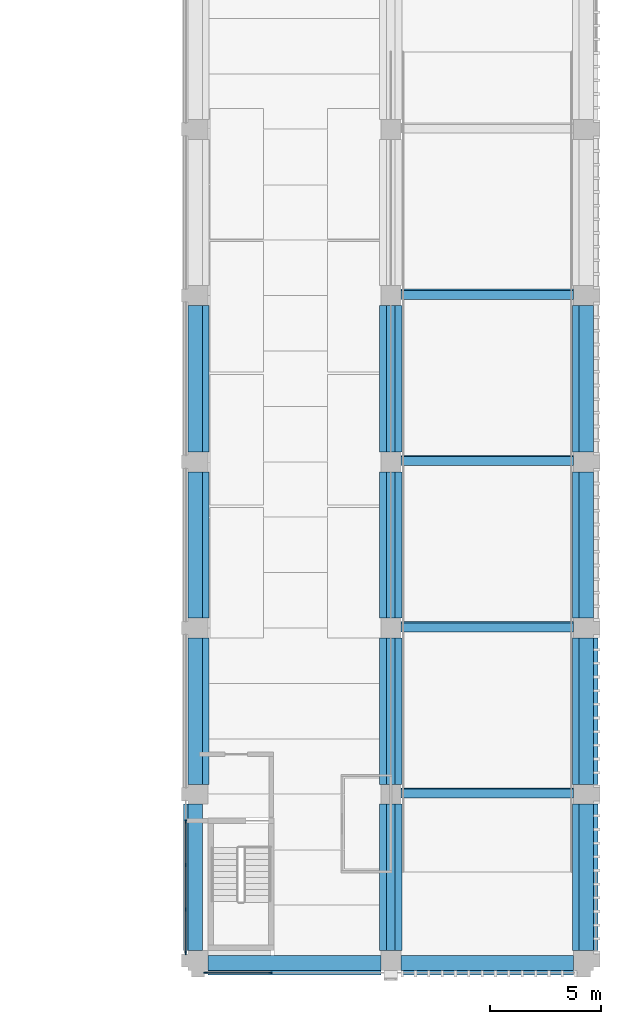
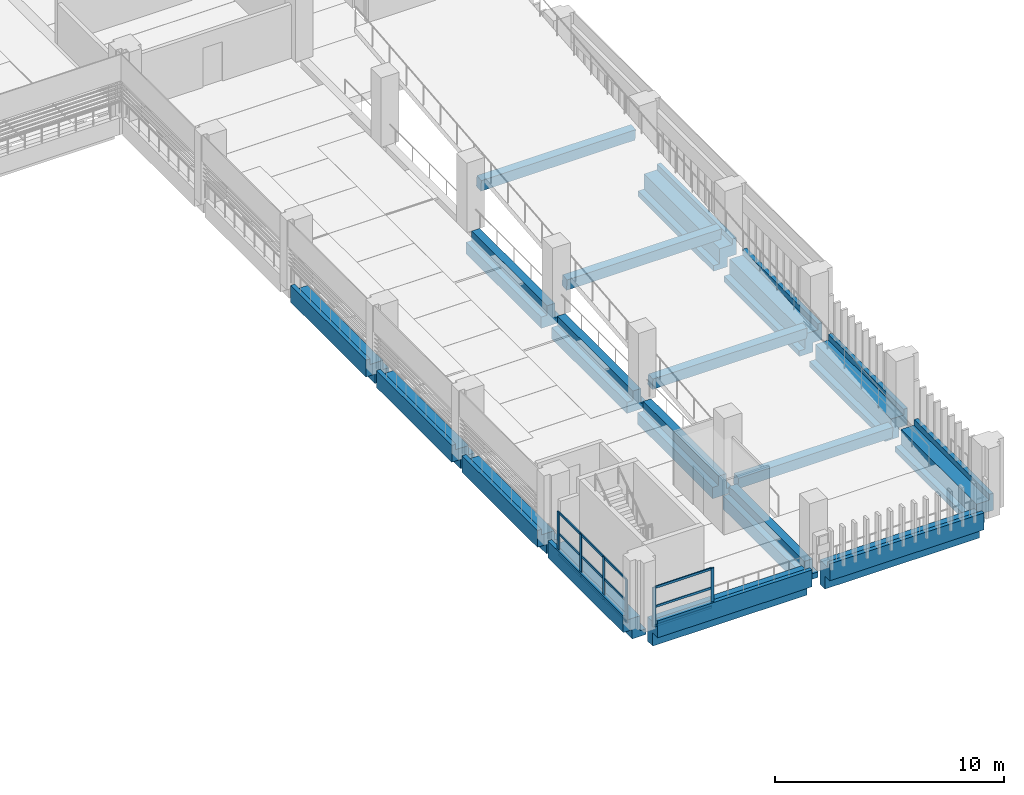
# One storey, part 14 of 57: 18 beams, 18 members, 2 elements without a shape of their own.
"""IFC4 building model written with IfcOpenShell, lengths in metres."""

from ifc_helpers import new_model, si_unit, direction, frame, origin, origin_2d, place, context, subcontext, project, spatial, polyline, rectangle, outline, extrude, material, layer, layer_set, material_profile, profile_set, type_object, element, aggregate, save


model = new_model("IFC4")

# Units and contexts
model_context = context("Model", 3, precision=1e-05, world=origin(), true_north=direction((0.0, 1.0)))
body_context = subcontext(model_context, "Body", "Model", "MODEL_VIEW")
ifc_project = project(units=[si_unit("LENGTHUNIT", "METRE"), si_unit("AREAUNIT", "SQUARE_METRE"), si_unit("VOLUMEUNIT", "CUBIC_METRE"), si_unit("PLANEANGLEUNIT", "RADIAN"), si_unit("MASSUNIT", "GRAM", prefix="KILO")], contexts=[model_context])

# Site, building, storey
site_placement = place(None, origin())
site = spatial("IfcSite", under=ifc_project, at=site_placement, CompositionType="ELEMENT")
building_placement = place(site_placement, origin())
building = spatial("IfcBuilding", under=site, at=building_placement, Name="Cour d'Honneur Mobility Palace", CompositionType="ELEMENT")
storey_placement = place(building_placement, frame((0.0, 0.0, 8.199951171875)))
storey = spatial("IfcBuildingStorey", under=building, at=storey_placement, Name="L02", CompositionType="ELEMENT", Elevation=8.199951171875)

# Curtain wall, members
ifc_material_1 = material(Name="Aluminium and glass", Category="aluminium")
ifc_layer = layer(ifc_material_1, 0.10009765625)
ifc_layer_set = layer_set([ifc_layer], Name="Aluminium and glass")
curtain_wall_type = type_object("IfcCurtainWallType", Name="Curtain wall run", PredefinedType="NOTDEFINED", material=ifc_layer_set)
curtain_wall_1_placement = place(storey_placement, origin())
curtain_wall_1 = element("IfcCurtainWall", 1, at=curtain_wall_1_placement, inside=storey, type_object=curtain_wall_type, Name="Curtain wall CW-137", PredefinedType="NOTDEFINED")
ifc_material_2 = material(Name="Aluminium", Category="aluminium")
ifc_material_profile_1 = material_profile(ifc_material_2, rectangle(XDim=0.06005859375, YDim=0.159912109375, at=origin_2d()), Name="Curtain wall mullion")
ifc_profile_set_1 = profile_set([ifc_material_profile_1], Name="Aluminium")
member_type_1 = type_object("IfcMemberType", Name="Curtain wall mullion", PredefinedType="MULLION", material=ifc_profile_set_1)
member_1_placement = place(storey_placement, frame((144.35009765625, 6.27001953125, 0.0), z_axis=(0.0, 0.0, 1.0), x_axis=(1.0, 0.0, 0.0)))
member_1 = element("IfcMember", 2, at=member_1_placement, type_object=member_type_1, Name="CW-137 mullion 1", PredefinedType="MULLION", context=body_context, shape_type="SweptSolid", body=[
    extrude(rectangle(XDim=0.06005859375, YDim=0.159912109375, at=origin_2d()), origin(), (0.0, 0.0, 1.0), 2.300048828125),
])
member_2_placement = place(storey_placement, frame((144.35009765625, 4.300048828125, 0.0), z_axis=(0.0, 0.0, 1.0), x_axis=(1.0, 0.0, 0.0)))
member_2 = element("IfcMember", 3, at=member_2_placement, type_object=member_type_1, Name="CW-137 mullion 2", PredefinedType="MULLION", context=body_context, shape_type="SweptSolid", body=[
    extrude(rectangle(XDim=0.06005859375, YDim=0.159912109375, at=origin_2d()), origin(), (0.0, 0.0, 1.0), 2.300048828125),
])
member_3_placement = place(storey_placement, frame((144.35009765625, 2.300048828125, 0.0), z_axis=(0.0, 0.0, 1.0), x_axis=(1.0, 0.0, 0.0)))
member_3 = element("IfcMember", 4, at=member_3_placement, type_object=member_type_1, Name="CW-137 mullion 3", PredefinedType="MULLION", context=body_context, shape_type="SweptSolid", body=[
    extrude(rectangle(XDim=0.06005859375, YDim=0.159912109375, at=origin_2d()), origin(), (0.0, 0.0, 1.0), 2.300048828125),
])
member_4_placement = place(storey_placement, frame((144.35009765625, 0.330078125, 0.0), z_axis=(0.0, 0.0, 1.0), x_axis=(1.0, 0.0, 0.0)))
member_4 = element("IfcMember", 5, at=member_4_placement, type_object=member_type_1, Name="CW-137 mullion 4", PredefinedType="MULLION", context=body_context, shape_type="SweptSolid", body=[
    extrude(rectangle(XDim=0.06005859375, YDim=0.159912109375, at=origin_2d()), origin(), (0.0, 0.0, 1.0), 2.300048828125),
])

curtain_wall_2_placement = place(storey_placement, origin())
curtain_wall_2 = element("IfcCurtainWall", 6, at=curtain_wall_2_placement, inside=storey, type_object=curtain_wall_type, Name="Curtain wall CW-138", PredefinedType="NOTDEFINED")
member_5_placement = place(storey_placement, frame((145.22998046875, -0.550048828125, 0.0), z_axis=(0.0, 0.0, 1.0), x_axis=(0.0, 1.0, 0.0)))
member_5 = element("IfcMember", 7, at=member_5_placement, type_object=member_type_1, Name="CW-138 mullion 1", PredefinedType="MULLION", context=body_context, shape_type="SweptSolid", body=[
    extrude(rectangle(XDim=0.06005859375, YDim=0.159912109375, at=origin_2d()), origin(), (0.0, 0.0, 1.0), 2.10009765625),
])
member_6_placement = place(storey_placement, frame((148.169921875, -0.550048828125, 0.0), z_axis=(0.0, 0.0, 1.0), x_axis=(0.0, 1.0, 0.0)))
member_6 = element("IfcMember", 8, at=member_6_placement, type_object=member_type_1, Name="CW-138 mullion 2", PredefinedType="MULLION", context=body_context, shape_type="SweptSolid", body=[
    extrude(rectangle(XDim=0.06005859375, YDim=0.159912109375, at=origin_2d()), origin(), (0.0, 0.0, 1.0), 2.10009765625),
])

# Member
ifc_material_3 = material(Name="Aluminium", Category="aluminium")
ifc_material_profile_2 = material_profile(ifc_material_3, rectangle(XDim=0.06005859375, YDim=0.1201171875, at=origin_2d()), Name="Curtain wall transom")
ifc_profile_set_2 = profile_set([ifc_material_profile_2], Name="Aluminium")
member_type_2 = type_object("IfcMemberType", Name="Curtain wall transom", PredefinedType="USERDEFINED", material=ifc_profile_set_2)
member_7_placement = place(storey_placement, frame((144.35009765625, 6.239990234375, 0.030029296875), z_axis=(0.0, -1.0, 0.0), x_axis=(1.0, 0.0, 0.0)))
member_7 = element("IfcMember", 9, at=member_7_placement, type_object=member_type_2, Name="CW-137 transom 1.1", ObjectType="TRANSOM", PredefinedType="USERDEFINED", context=body_context, shape_type="SweptSolid", body=[
    extrude(rectangle(XDim=0.06005859375, YDim=0.1201171875, at=origin_2d()), origin(), (0.0, 0.0, 1.0), 1.909912109375),
])

member_8_placement = place(storey_placement, frame((144.35009765625, 6.239990234375, 1.150146484375), z_axis=(0.0, -1.0, 0.0), x_axis=(1.0, 0.0, 0.0)))
member_8 = element("IfcMember", 10, at=member_8_placement, type_object=member_type_2, Name="CW-137 transom 1.2", ObjectType="TRANSOM", PredefinedType="USERDEFINED", context=body_context, shape_type="SweptSolid", body=[
    extrude(rectangle(XDim=0.06005859375, YDim=0.1201171875, at=origin_2d()), origin(), (0.0, 0.0, 1.0), 1.909912109375),
])

member_9_placement = place(storey_placement, frame((144.35009765625, 6.239990234375, 2.27001953125), z_axis=(0.0, -1.0, 0.0), x_axis=(1.0, 0.0, 0.0)))
member_9 = element("IfcMember", 11, at=member_9_placement, type_object=member_type_2, Name="CW-137 transom 1.3", ObjectType="TRANSOM", PredefinedType="USERDEFINED", context=body_context, shape_type="SweptSolid", body=[
    extrude(rectangle(XDim=0.06005859375, YDim=0.1201171875, at=origin_2d()), origin(), (0.0, 0.0, 1.0), 1.909912109375),
])

member_10_placement = place(storey_placement, frame((144.35009765625, 4.27001953125, 0.030029296875), z_axis=(0.0, -1.0, 0.0), x_axis=(1.0, 0.0, 0.0)))
member_10 = element("IfcMember", 12, at=member_10_placement, type_object=member_type_2, Name="CW-137 transom 2.1", ObjectType="TRANSOM", PredefinedType="USERDEFINED", context=body_context, shape_type="SweptSolid", body=[
    extrude(rectangle(XDim=0.06005859375, YDim=0.1201171875, at=origin_2d()), origin(), (0.0, 0.0, 1.0), 1.93994140625),
])

member_11_placement = place(storey_placement, frame((144.35009765625, 4.27001953125, 1.150146484375), z_axis=(0.0, -1.0, 0.0), x_axis=(1.0, 0.0, 0.0)))
member_11 = element("IfcMember", 13, at=member_11_placement, type_object=member_type_2, Name="CW-137 transom 2.2", ObjectType="TRANSOM", PredefinedType="USERDEFINED", context=body_context, shape_type="SweptSolid", body=[
    extrude(rectangle(XDim=0.06005859375, YDim=0.1201171875, at=origin_2d()), origin(), (0.0, 0.0, 1.0), 1.93994140625),
])

member_12_placement = place(storey_placement, frame((144.35009765625, 4.27001953125, 2.27001953125), z_axis=(0.0, -1.0, 0.0), x_axis=(1.0, 0.0, 0.0)))
member_12 = element("IfcMember", 14, at=member_12_placement, type_object=member_type_2, Name="CW-137 transom 2.3", ObjectType="TRANSOM", PredefinedType="USERDEFINED", context=body_context, shape_type="SweptSolid", body=[
    extrude(rectangle(XDim=0.06005859375, YDim=0.1201171875, at=origin_2d()), origin(), (0.0, 0.0, 1.0), 1.93994140625),
])

member_13_placement = place(storey_placement, frame((144.35009765625, 2.27001953125, 0.030029296875), z_axis=(0.0, -1.0, 0.0), x_axis=(1.0, 0.0, 0.0)))
member_13 = element("IfcMember", 15, at=member_13_placement, type_object=member_type_2, Name="CW-137 transom 3.1", ObjectType="TRANSOM", PredefinedType="USERDEFINED", context=body_context, shape_type="SweptSolid", body=[
    extrude(rectangle(XDim=0.06005859375, YDim=0.1201171875, at=origin_2d()), origin(), (0.0, 0.0, 1.0), 1.909912109375),
])

member_14_placement = place(storey_placement, frame((144.35009765625, 2.27001953125, 1.150146484375), z_axis=(0.0, -1.0, 0.0), x_axis=(1.0, 0.0, 0.0)))
member_14 = element("IfcMember", 16, at=member_14_placement, type_object=member_type_2, Name="CW-137 transom 3.2", ObjectType="TRANSOM", PredefinedType="USERDEFINED", context=body_context, shape_type="SweptSolid", body=[
    extrude(rectangle(XDim=0.06005859375, YDim=0.1201171875, at=origin_2d()), origin(), (0.0, 0.0, 1.0), 1.909912109375),
])

member_15_placement = place(storey_placement, frame((144.35009765625, 2.27001953125, 2.27001953125), z_axis=(0.0, -1.0, 0.0), x_axis=(1.0, 0.0, 0.0)))
member_15 = element("IfcMember", 17, at=member_15_placement, type_object=member_type_2, Name="CW-137 transom 3.3", ObjectType="TRANSOM", PredefinedType="USERDEFINED", context=body_context, shape_type="SweptSolid", body=[
    extrude(rectangle(XDim=0.06005859375, YDim=0.1201171875, at=origin_2d()), origin(), (0.0, 0.0, 1.0), 1.909912109375),
])

aggregate(curtain_wall_1, [member_1, member_2, member_3, member_4, member_7, member_8, member_9, member_10, member_11, member_12, member_13, member_14, member_15])

member_16_placement = place(storey_placement, frame((145.260009765625, -0.550048828125, 0.030029296875), z_axis=(1.0, 0.0, 0.0), x_axis=(0.0, 1.0, 0.0)))
member_16 = element("IfcMember", 18, at=member_16_placement, type_object=member_type_2, Name="CW-138 transom 1.1", ObjectType="TRANSOM", PredefinedType="USERDEFINED", context=body_context, shape_type="SweptSolid", body=[
    extrude(rectangle(XDim=0.06005859375, YDim=0.1201171875, at=origin_2d()), origin(), (0.0, 0.0, 1.0), 2.8798828125),
])

member_17_placement = place(storey_placement, frame((145.260009765625, -0.550048828125, 1.050048828125), z_axis=(1.0, 0.0, 0.0), x_axis=(0.0, 1.0, 0.0)))
member_17 = element("IfcMember", 19, at=member_17_placement, type_object=member_type_2, Name="CW-138 transom 1.2", ObjectType="TRANSOM", PredefinedType="USERDEFINED", context=body_context, shape_type="SweptSolid", body=[
    extrude(rectangle(XDim=0.06005859375, YDim=0.1201171875, at=origin_2d()), origin(), (0.0, 0.0, 1.0), 2.8798828125),
])

member_18_placement = place(storey_placement, frame((145.260009765625, -0.550048828125, 2.070068359375), z_axis=(1.0, 0.0, 0.0), x_axis=(0.0, 1.0, 0.0)))
member_18 = element("IfcMember", 20, at=member_18_placement, type_object=member_type_2, Name="CW-138 transom 1.3", ObjectType="TRANSOM", PredefinedType="USERDEFINED", context=body_context, shape_type="SweptSolid", body=[
    extrude(rectangle(XDim=0.06005859375, YDim=0.1201171875, at=origin_2d()), origin(), (0.0, 0.0, 1.0), 2.8798828125),
])

aggregate(curtain_wall_2, [member_5, member_6, member_16, member_17, member_18])

# Beams
ifc_material_4 = material(Name="Concrete C45", Category="concrete")
ifc_material_profile_3 = material_profile(ifc_material_4, outline(polyline([(0.22509765625, -1.300048828125), (0.22509765625, 0.0), (-0.22509765625, 0.0), (-0.449951171875, 0.0), (-0.449951171875, 0.300048828125), (-0.64990234375, 0.300048828125), (-0.64990234375, -0.60009765625), (-0.22509765625, -0.60009765625), (-0.22509765625, -1.300048828125), (0.22509765625, -1.300048828125)])), Name="Edge Spandrel Beam 450x1300 no ledge facade right")
ifc_profile_set_3 = profile_set([ifc_material_profile_3], Name="Concrete C45")
beam_type_1 = type_object("IfcBeamType", Name="Edge Spandrel Beam 450x1300 no ledge facade right", PredefinedType="SPANDREL", material=ifc_profile_set_3)
beam_1_placement = place(storey_placement, frame((145.35009765625, 0.0, 0.0), z_axis=(1.0, 0.0, 0.0), x_axis=(0.0, 1.0, 0.0)))
element("IfcBeam", 21, at=beam_1_placement, inside=storey, type_object=beam_type_1, Name="Precast beam B1 19-19A L02", PredefinedType="SPANDREL", context=body_context, shape_type="SweptSolid", body=[
    extrude(outline(polyline([(0.22509765625, -1.300048828125), (0.22509765625, 0.0), (-0.22509765625, 0.0), (-0.449951171875, 0.0), (-0.449951171875, 0.300048828125), (-0.64990234375, 0.300048828125), (-0.64990234375, -0.60009765625), (-0.22509765625, -0.60009765625), (-0.22509765625, -1.300048828125), (0.22509765625, -1.300048828125)])), origin(), (0.0, 0.0, 1.0), 7.7998046875),
])
beam_2_placement = place(storey_placement, frame((154.050048828125, 0.0, 0.0), z_axis=(1.0, 0.0, 0.0), x_axis=(0.0, 1.0, 0.0)))
element("IfcBeam", 22, at=beam_2_placement, inside=storey, type_object=beam_type_1, Name="Precast beam B1 19A-20 L02", PredefinedType="SPANDREL", context=body_context, shape_type="SweptSolid", body=[
    extrude(outline(polyline([(0.22509765625, -1.300048828125), (0.22509765625, 0.0), (-0.22509765625, 0.0), (-0.449951171875, 0.0), (-0.449951171875, 0.300048828125), (-0.64990234375, 0.300048828125), (-0.64990234375, -0.60009765625), (-0.22509765625, -0.60009765625), (-0.22509765625, -1.300048828125), (0.22509765625, -1.300048828125)])), origin(), (0.0, 0.0, 1.0), 7.800048828125),
])
ifc_material_5 = material(Name="Concrete C45", Category="concrete")
ifc_material_profile_4 = material_profile(ifc_material_5, outline(polyline([(0.5, -1.10009765625), (0.5, -0.5), (0.199951171875, -0.5), (0.199951171875, 0.0), (-0.199951171875, 0.0), (-0.199951171875, -0.800048828125), (-0.5, -0.800048828125), (-0.5, -1.10009765625), (0.5, -1.10009765625)])), Name="Inverted Tee Beam 400x1100 ledges 600/300 plain")
ifc_profile_set_4 = profile_set([ifc_material_profile_4], Name="Concrete C45")
beam_type_2 = type_object("IfcBeamType", Name="Inverted Tee Beam 400x1100 ledges 600/300 plain", PredefinedType="T_BEAM", material=ifc_profile_set_4)
for number, where, z_axis, x_axis, name in (
    (23, (153.60009765625, 7.949951171875, 0.0), (0.0, 1.0, 0.0), (-1.0, 0.0, 0.0), "Precast beam B19 B-C L02"),
    (24, (153.60009765625, 15.449951171875, 0.0), (0.0, 1.0, 0.0), (-1.0, 0.0, 0.0), "Precast beam B19 C-D L02"),
    (25, (153.60009765625, 22.949951171875, 0.0), (0.0, 1.0, 0.0), (-1.0, 0.0, 0.0), "Precast beam B19 D-E L02"),
):
    element("IfcBeam", number, at=place(storey_placement, frame(where, z_axis=z_axis, x_axis=x_axis)), inside=storey, type_object=beam_type_2, Name=name, PredefinedType="T_BEAM", context=body_context, shape_type="SweptSolid", body=[
        extrude(outline(polyline([(0.5, -1.10009765625), (0.5, -0.5), (0.199951171875, -0.5), (0.199951171875, 0.0), (-0.199951171875, 0.0), (-0.199951171875, -0.800048828125), (-0.5, -0.800048828125), (-0.5, -1.10009765625), (0.5, -1.10009765625)])), origin(), (0.0, 0.0, 1.0), 6.60009765625),
    ])
ifc_material_6 = material(Name="Concrete C45", Category="concrete")
ifc_material_profile_5 = material_profile(ifc_material_6, outline(polyline([(0.5, -1.10009765625), (0.5, -0.39990234375), (0.199951171875, -0.39990234375), (0.199951171875, 0.0), (-0.199951171875, 0.0), (-0.199951171875, -0.800048828125), (-0.5, -0.800048828125), (-0.5, -1.10009765625), (0.5, -1.10009765625)])), Name="Inverted Tee Beam 400x1100 ledges 700/300 plain")
ifc_profile_set_5 = profile_set([ifc_material_profile_5], Name="Concrete C45")
beam_type_3 = type_object("IfcBeamType", Name="Inverted Tee Beam 400x1100 ledges 700/300 plain", PredefinedType="T_BEAM", material=ifc_profile_set_5)
beam_3_placement = place(storey_placement, frame((153.60009765625, 0.449951171875, 0.0), z_axis=(0.0, 1.0, 0.0), x_axis=(-1.0, 0.0, 0.0)))
element("IfcBeam", 26, at=beam_3_placement, inside=storey, type_object=beam_type_3, Name="Precast beam B18 A-B L02", PredefinedType="T_BEAM", context=body_context, shape_type="SweptSolid", body=[
    extrude(outline(polyline([(0.5, -1.10009765625), (0.5, -0.39990234375), (0.199951171875, -0.39990234375), (0.199951171875, 0.0), (-0.199951171875, 0.0), (-0.199951171875, -0.800048828125), (-0.5, -0.800048828125), (-0.5, -1.10009765625), (0.5, -1.10009765625)])), origin(), (0.0, 0.0, 1.0), 6.60009765625),
])
ifc_material_7 = material(Name="Concrete C45", Category="concrete")
ifc_material_profile_6 = material_profile(ifc_material_7, outline(polyline([(0.5, -1.10009765625), (0.5, -0.800048828125), (0.199951171875, -0.800048828125), (0.199951171875, 0.0), (-0.199951171875, 0.0), (-0.449951171875, 0.0), (-0.449951171875, 0.300048828125), (-0.64990234375, 0.300048828125), (-0.64990234375, -0.60009765625), (-0.199951171875, -0.60009765625), (-0.199951171875, -1.10009765625), (0.5, -1.10009765625)])), Name="Ledger Beam 400x1100 ledge left 300 facade right")
ifc_profile_set_6 = profile_set([ifc_material_profile_6], Name="Concrete C45")
beam_type_4 = type_object("IfcBeamType", Name="Ledger Beam 400x1100 ledge left 300 facade right", PredefinedType="BEAM", material=ifc_profile_set_6)
for number, where, z_axis, x_axis, name in (
    (27, (162.300048828125, 0.449951171875, 0.0), (0.0, 1.0, 0.0), (-1.0, 0.0, 0.0), "Precast beam B3 A-B L02"),
    (28, (162.300048828125, 7.949951171875, 0.0), (0.0, 1.0, 0.0), (-1.0, 0.0, 0.0), "Precast beam B3 B-C L02"),
    (29, (162.300048828125, 15.449951171875, 0.0), (0.0, 1.0, 0.0), (-1.0, 0.0, 0.0), "Precast beam B3 C-D L02"),
    (30, (162.300048828125, 22.949951171875, 0.0), (0.0, 1.0, 0.0), (-1.0, 0.0, 0.0), "Precast beam B3 D-E L02"),
):
    element("IfcBeam", number, at=place(storey_placement, frame(where, z_axis=z_axis, x_axis=x_axis)), inside=storey, type_object=beam_type_4, Name=name, PredefinedType="BEAM", context=body_context, shape_type="SweptSolid", body=[
        extrude(outline(polyline([(0.5, -1.10009765625), (0.5, -0.800048828125), (0.199951171875, -0.800048828125), (0.199951171875, 0.0), (-0.199951171875, 0.0), (-0.449951171875, 0.0), (-0.449951171875, 0.300048828125), (-0.64990234375, 0.300048828125), (-0.64990234375, -0.60009765625), (-0.199951171875, -0.60009765625), (-0.199951171875, -1.10009765625), (0.5, -1.10009765625)])), origin(), (0.0, 0.0, 1.0), 6.60009765625),
    ])
ifc_material_8 = material(Name="Concrete C45", Category="concrete")
ifc_material_profile_7 = material_profile(ifc_material_8, outline(polyline([(0.199951171875, -1.10009765625), (0.199951171875, -0.60009765625), (0.64990234375, -0.60009765625), (0.64990234375, 0.300048828125), (0.449951171875, 0.300048828125), (0.449951171875, 0.0), (0.199951171875, 0.0), (-0.199951171875, 0.0), (-0.199951171875, -0.800048828125), (-0.5, -0.800048828125), (-0.5, -1.10009765625), (0.199951171875, -1.10009765625)])), Name="Ledger Beam 400x1100 ledge right 300 facade left")
ifc_profile_set_7 = profile_set([ifc_material_profile_7], Name="Concrete C45")
beam_type_5 = type_object("IfcBeamType", Name="Ledger Beam 400x1100 ledge right 300 facade left", PredefinedType="BEAM", material=ifc_profile_set_7)
beam_4_placement = place(storey_placement, frame((144.89990234375, 0.449951171875, 0.0), z_axis=(0.0, 1.0, 0.0), x_axis=(-1.0, 0.0, 0.0)))
element("IfcBeam", 31, at=beam_4_placement, inside=storey, type_object=beam_type_5, Name="Precast beam B6 A-B L02", PredefinedType="BEAM", context=body_context, shape_type="SweptSolid", body=[
    extrude(outline(polyline([(0.199951171875, -1.10009765625), (0.199951171875, -0.60009765625), (0.64990234375, -0.60009765625), (0.64990234375, 0.300048828125), (0.449951171875, 0.300048828125), (0.449951171875, 0.0), (0.199951171875, 0.0), (-0.199951171875, 0.0), (-0.199951171875, -0.800048828125), (-0.5, -0.800048828125), (-0.5, -1.10009765625), (0.199951171875, -1.10009765625)])), origin(), (0.0, 0.0, 1.0), 6.60009765625),
])
ifc_material_9 = material(Name="Concrete C45", Category="concrete")
ifc_material_profile_8 = material_profile(ifc_material_9, outline(polyline([(0.199951171875, -1.10009765625), (0.199951171875, -0.60009765625), (0.64990234375, -0.60009765625), (0.64990234375, 0.300048828125), (0.449951171875, 0.300048828125), (0.449951171875, 0.0), (0.199951171875, 0.0), (-0.199951171875, 0.0), (-0.199951171875, -0.5), (-0.5, -0.5), (-0.5, -1.10009765625), (0.199951171875, -1.10009765625)])), Name="Ledger Beam 400x1100 ledge right 600 facade left")
ifc_profile_set_8 = profile_set([ifc_material_profile_8], Name="Concrete C45")
beam_type_6 = type_object("IfcBeamType", Name="Ledger Beam 400x1100 ledge right 600 facade left", PredefinedType="BEAM", material=ifc_profile_set_8)
for number, where, z_axis, x_axis, name in (
    (32, (144.89990234375, 7.949951171875, 0.0), (0.0, 1.0, 0.0), (-1.0, 0.0, 0.0), "Precast beam B15 B-C L02"),
    (33, (144.89990234375, 15.449951171875, 0.0), (0.0, 1.0, 0.0), (-1.0, 0.0, 0.0), "Precast beam B15 C-D L02"),
    (34, (144.89990234375, 22.949951171875, 0.0), (0.0, 1.0, 0.0), (-1.0, 0.0, 0.0), "Precast beam B15 D-E L02"),
):
    element("IfcBeam", number, at=place(storey_placement, frame(where, z_axis=z_axis, x_axis=x_axis)), inside=storey, type_object=beam_type_6, Name=name, PredefinedType="BEAM", context=body_context, shape_type="SweptSolid", body=[
        extrude(outline(polyline([(0.199951171875, -1.10009765625), (0.199951171875, -0.60009765625), (0.64990234375, -0.60009765625), (0.64990234375, 0.300048828125), (0.449951171875, 0.300048828125), (0.449951171875, 0.0), (0.199951171875, 0.0), (-0.199951171875, 0.0), (-0.199951171875, -0.5), (-0.5, -0.5), (-0.5, -1.10009765625), (0.199951171875, -1.10009765625)])), origin(), (0.0, 0.0, 1.0), 6.60009765625),
    ])
ifc_material_10 = material(Name="Concrete C40", Category="concrete")
ifc_material_profile_9 = material_profile(ifc_material_10, rectangle(XDim=0.39990234375, YDim=0.60009765625, at=origin_2d()), Name="Ramp cross beam 400x600")
ifc_profile_set_9 = profile_set([ifc_material_profile_9], Name="Concrete C40")
beam_type_7 = type_object("IfcBeamType", Name="Ramp cross beam 400x600", PredefinedType="BEAM", material=ifc_profile_set_9)
for number, where, z_axis, x_axis, name in (
    (35, (161.85009765625, 7.559814453125, -0.2470703125), (-1.0, 0.0, 0.0), (0.0, -0.995037190449, -0.099503716633), "Ramp cross beam SE.R2-1"),
    (36, (161.85009765625, 15.059814453125, 0.5029296875), (-1.0, 0.0, 0.0), (0.0, -0.995037190449, -0.099503716633), "Ramp cross beam SE.R2-2"),
    (37, (161.85009765625, 22.559814453125, 1.2529296875), (-1.0, 0.0, 0.0), (0.0, -0.995037190449, -0.099503716633), "Ramp cross beam SE.R2-3"),
    (38, (161.85009765625, 30.059814453125, 2.0029296875), (-1.0, 0.0, 0.0), (0.0, -0.995037190449, -0.099503716633), "Ramp cross beam SE.R2-4"),
):
    element("IfcBeam", number, at=place(storey_placement, frame(where, z_axis=z_axis, x_axis=x_axis)), inside=storey, type_object=beam_type_7, Name=name, PredefinedType="BEAM", context=body_context, shape_type="SweptSolid", body=[
        extrude(rectangle(XDim=0.39990234375, YDim=0.60009765625, at=origin_2d()), origin(), (0.0, 0.0, 1.0), 7.800048828125),
    ])

save(model, "model.ifc")
